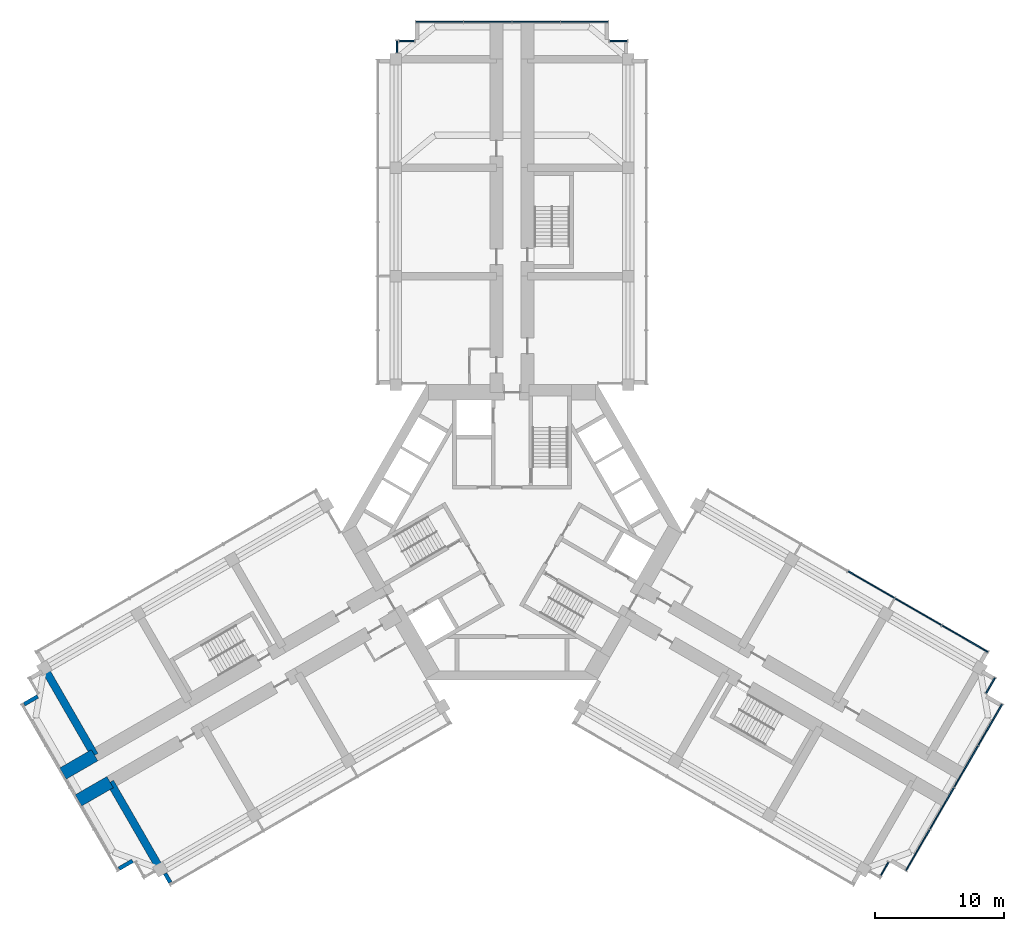
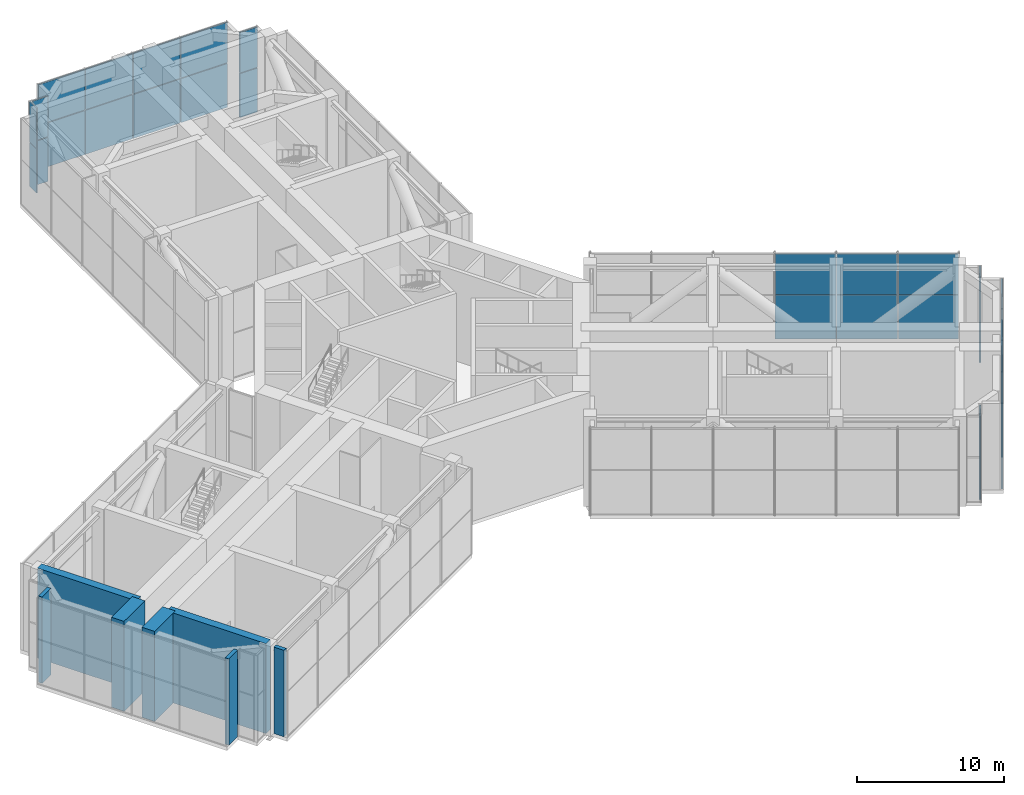
# One storey, part 11 of 16: 32 plates, 7 walls, 8 elements without a shape of their own.
"""IFC4 building model written with IfcOpenShell, lengths in metres."""

from ifc_helpers import new_model, si_unit, direction, frame, frame_2d, origin, origin_2d, place, context, subcontext, project, spatial, rectangle, extrude, material, layer, layer_set, type_object, element, aggregate, save


model = new_model("IFC4")

# Units and contexts
model_context = context("Model", 3, precision=1e-05, world=origin(), true_north=direction((0.0, 1.0)))
body_context = subcontext(model_context, "Body", "Model", "MODEL_VIEW")
ifc_project = project(units=[si_unit("LENGTHUNIT", "METRE"), si_unit("AREAUNIT", "SQUARE_METRE"), si_unit("VOLUMEUNIT", "CUBIC_METRE"), si_unit("PLANEANGLEUNIT", "RADIAN"), si_unit("MASSUNIT", "GRAM", prefix="KILO")], contexts=[model_context])

# Site, building, storey
site_placement = place(None, origin())
site = spatial("IfcSite", under=ifc_project, at=site_placement, CompositionType="ELEMENT")
building_placement = place(site_placement, origin())
building = spatial("IfcBuilding", under=site, at=building_placement, Name="Impinga Residences", CompositionType="ELEMENT")
storey_placement = place(building_placement, frame((0.0, 0.0, 181.0)))
storey = spatial("IfcBuildingStorey", under=building, at=storey_placement, Name="L45", CompositionType="ELEMENT", Elevation=181.0)

# Curtain wall, plates
ifc_material_1 = material(Name="Aluminium stick curtain wall", Category="aluminium")
curtain_wall_type = type_object("IfcCurtainWallType", Name="CW4 plant floor louvred curtain wall", PredefinedType="USERDEFINED", material=ifc_material_1)
curtain_wall_1_placement = place(storey_placement, origin())
curtain_wall_1 = element("IfcCurtainWall", 1, at=curtain_wall_1_placement, inside=storey, type_object=curtain_wall_type, Name="Curtain wall CW4 L45", ObjectType="STICK CURTAIN WALL", PredefinedType="USERDEFINED")
ifc_material_2 = material(Name="Aluminium louvre blade panel", Category="aluminium")
ifc_layer_1 = layer(ifc_material_2, 0.10009765625)
ifc_layer_set_1 = layer_set([ifc_layer_1], Name="CW4-P louvre panel 100")
plate_type = type_object("IfcPlateType", Name="CW4-P louvre panel 100", PredefinedType="CURTAIN_PANEL", material=ifc_layer_set_1)
plate_1_placement = place(storey_placement, frame((-8.89990234375, 37.608154296875, 0.06005859375), z_axis=(0.0, 0.0, 1.0), x_axis=(0.0, 1.0, 0.0)))
plate_1 = element("IfcPlate", 2, at=plate_1_placement, type_object=plate_type, Name="CW4 panel 1.1", PredefinedType="CURTAIN_PANEL", context=body_context, shape_type="SweptSolid", body=[
    extrude(rectangle(XDim=0.927001953125, YDim=0.10009765625, at=origin_2d()), origin(), (0.0, 0.0, 1.0), 3.659912109375),
])
plate_2_placement = place(storey_placement, frame((-8.89990234375, 37.608154296875, 3.77978515625), z_axis=(0.0, 0.0, 1.0), x_axis=(0.0, 1.0, 0.0)))
plate_2 = element("IfcPlate", 3, at=plate_2_placement, type_object=plate_type, Name="CW4 panel 1.2", PredefinedType="CURTAIN_PANEL", context=body_context, shape_type="SweptSolid", body=[
    extrude(rectangle(XDim=0.927001953125, YDim=0.10009765625, at=origin_2d()), origin(), (0.0, 0.0, 1.0), 3.360107421875),
])
aggregate(curtain_wall_1, [plate_1, plate_2])

curtain_wall_2_placement = place(storey_placement, origin())
curtain_wall_2 = element("IfcCurtainWall", 4, at=curtain_wall_2_placement, inside=storey, type_object=curtain_wall_type, Name="Curtain wall CW4 L45", ObjectType="STICK CURTAIN WALL", PredefinedType="USERDEFINED")
plate_3_placement = place(storey_placement, frame((-8.14990234375, 38.031494140625, 0.06005859375), z_axis=(0.0, 0.0, 1.0), x_axis=(1.0, 0.0, 0.0)))
plate_3 = element("IfcPlate", 5, at=plate_3_placement, type_object=plate_type, Name="CW4 panel 1.1", PredefinedType="CURTAIN_PANEL", context=body_context, shape_type="SweptSolid", body=[
    extrude(rectangle(XDim=1.179931640625, YDim=0.10009765625, at=origin_2d()), origin(), (0.0, 0.0, 1.0), 3.659912109375),
])
plate_4_placement = place(storey_placement, frame((-8.14990234375, 38.031494140625, 3.77978515625), z_axis=(0.0, 0.0, 1.0), x_axis=(1.0, 0.0, 0.0)))
plate_4 = element("IfcPlate", 6, at=plate_4_placement, type_object=plate_type, Name="CW4 panel 1.2", PredefinedType="CURTAIN_PANEL", context=body_context, shape_type="SweptSolid", body=[
    extrude(rectangle(XDim=1.179931640625, YDim=0.10009765625, at=origin_2d()), origin(), (0.0, 0.0, 1.0), 3.360107421875),
])
aggregate(curtain_wall_2, [plate_3, plate_4])

curtain_wall_3_placement = place(storey_placement, origin())
curtain_wall_3 = element("IfcCurtainWall", 7, at=curtain_wall_3_placement, inside=storey, type_object=curtain_wall_type, Name="Curtain wall CW4 L45", ObjectType="STICK CURTAIN WALL", PredefinedType="USERDEFINED")
plate_5_placement = place(storey_placement, frame((-5.610107421875, 39.531494140625, 0.06005859375), z_axis=(0.0, 0.0, 1.0), x_axis=(1.0, 0.0, 0.0)))
plate_5 = element("IfcPlate", 8, at=plate_5_placement, type_object=plate_type, Name="CW4 panel 1.1", PredefinedType="CURTAIN_PANEL", context=body_context, shape_type="SweptSolid", body=[
    extrude(rectangle(XDim=3.659912109375, YDim=0.10009765625, at=origin_2d()), origin(), (0.0, 0.0, 1.0), 3.659912109375),
])
plate_6_placement = place(storey_placement, frame((-5.610107421875, 39.531494140625, 3.77978515625), z_axis=(0.0, 0.0, 1.0), x_axis=(1.0, 0.0, 0.0)))
plate_6 = element("IfcPlate", 9, at=plate_6_placement, type_object=plate_type, Name="CW4 panel 1.2", PredefinedType="CURTAIN_PANEL", context=body_context, shape_type="SweptSolid", body=[
    extrude(rectangle(XDim=3.659912109375, YDim=0.10009765625, at=origin_2d()), origin(), (0.0, 0.0, 1.0), 3.360107421875),
])
plate_7_placement = place(storey_placement, frame((-1.875, 39.531494140625, 0.06005859375), z_axis=(0.0, 0.0, 1.0), x_axis=(1.0, 0.0, 0.0)))
plate_7 = element("IfcPlate", 10, at=plate_7_placement, type_object=plate_type, Name="CW4 panel 2.1", PredefinedType="CURTAIN_PANEL", context=body_context, shape_type="SweptSolid", body=[
    extrude(rectangle(XDim=3.68994140625, YDim=0.10009765625, at=origin_2d()), origin(), (0.0, 0.0, 1.0), 3.659912109375),
])
plate_8_placement = place(storey_placement, frame((-1.875, 39.531494140625, 3.77978515625), z_axis=(0.0, 0.0, 1.0), x_axis=(1.0, 0.0, 0.0)))
plate_8 = element("IfcPlate", 11, at=plate_8_placement, type_object=plate_type, Name="CW4 panel 2.2", PredefinedType="CURTAIN_PANEL", context=body_context, shape_type="SweptSolid", body=[
    extrude(rectangle(XDim=3.68994140625, YDim=0.10009765625, at=origin_2d()), origin(), (0.0, 0.0, 1.0), 3.360107421875),
])
plate_9_placement = place(storey_placement, frame((1.875, 39.531494140625, 0.06005859375), z_axis=(0.0, 0.0, 1.0), x_axis=(1.0, 0.0, 0.0)))
plate_9 = element("IfcPlate", 12, at=plate_9_placement, type_object=plate_type, Name="CW4 panel 3.1", PredefinedType="CURTAIN_PANEL", context=body_context, shape_type="SweptSolid", body=[
    extrude(rectangle(XDim=3.68994140625, YDim=0.10009765625, at=origin_2d()), origin(), (0.0, 0.0, 1.0), 3.659912109375),
])
plate_10_placement = place(storey_placement, frame((1.875, 39.531494140625, 3.77978515625), z_axis=(0.0, 0.0, 1.0), x_axis=(1.0, 0.0, 0.0)))
plate_10 = element("IfcPlate", 13, at=plate_10_placement, type_object=plate_type, Name="CW4 panel 3.2", PredefinedType="CURTAIN_PANEL", context=body_context, shape_type="SweptSolid", body=[
    extrude(rectangle(XDim=3.68994140625, YDim=0.10009765625, at=origin_2d()), origin(), (0.0, 0.0, 1.0), 3.360107421875),
])
plate_11_placement = place(storey_placement, frame((5.610107421875, 39.531494140625, 0.06005859375), z_axis=(0.0, 0.0, 1.0), x_axis=(1.0, 0.0, 0.0)))
plate_11 = element("IfcPlate", 14, at=plate_11_placement, type_object=plate_type, Name="CW4 panel 4.1", PredefinedType="CURTAIN_PANEL", context=body_context, shape_type="SweptSolid", body=[
    extrude(rectangle(XDim=3.659912109375, YDim=0.10009765625, at=origin_2d()), origin(), (0.0, 0.0, 1.0), 3.659912109375),
])
plate_12_placement = place(storey_placement, frame((5.610107421875, 39.531494140625, 3.77978515625), z_axis=(0.0, 0.0, 1.0), x_axis=(1.0, 0.0, 0.0)))
plate_12 = element("IfcPlate", 15, at=plate_12_placement, type_object=plate_type, Name="CW4 panel 4.2", PredefinedType="CURTAIN_PANEL", context=body_context, shape_type="SweptSolid", body=[
    extrude(rectangle(XDim=3.659912109375, YDim=0.10009765625, at=origin_2d()), origin(), (0.0, 0.0, 1.0), 3.360107421875),
])
aggregate(curtain_wall_3, [plate_5, plate_6, plate_7, plate_8, plate_9, plate_10, plate_11, plate_12])

curtain_wall_4_placement = place(storey_placement, origin())
curtain_wall_4 = element("IfcCurtainWall", 16, at=curtain_wall_4_placement, inside=storey, type_object=curtain_wall_type, Name="Curtain wall CW4 L45", ObjectType="STICK CURTAIN WALL", PredefinedType="USERDEFINED")
plate_13_placement = place(storey_placement, frame((8.25, 38.031494140625, 0.06005859375), z_axis=(0.0, 0.0, 1.0), x_axis=(1.0, 0.0, 0.0)))
plate_13 = element("IfcPlate", 17, at=plate_13_placement, type_object=plate_type, Name="CW4 panel 1.1", PredefinedType="CURTAIN_PANEL", context=body_context, shape_type="SweptSolid", body=[
    extrude(rectangle(XDim=1.3798828125, YDim=0.10009765625, at=origin_2d()), origin(), (0.0, 0.0, 1.0), 3.659912109375),
])
plate_14_placement = place(storey_placement, frame((8.25, 38.031494140625, 3.77978515625), z_axis=(0.0, 0.0, 1.0), x_axis=(1.0, 0.0, 0.0)))
plate_14 = element("IfcPlate", 18, at=plate_14_placement, type_object=plate_type, Name="CW4 panel 1.2", PredefinedType="CURTAIN_PANEL", context=body_context, shape_type="SweptSolid", body=[
    extrude(rectangle(XDim=1.3798828125, YDim=0.10009765625, at=origin_2d()), origin(), (0.0, 0.0, 1.0), 3.360107421875),
])
aggregate(curtain_wall_4, [plate_13, plate_14])

curtain_wall_5_placement = place(storey_placement, origin())
curtain_wall_5 = element("IfcCurtainWall", 19, at=curtain_wall_5_placement, inside=storey, type_object=curtain_wall_type, Name="Curtain wall CW4 L45", ObjectType="STICK CURTAIN WALL", PredefinedType="USERDEFINED")
plate_15_placement = place(storey_placement, frame((27.83056640625, -4.05908203125, 0.06005859375), z_axis=(0.0, 0.0, 1.0), x_axis=(0.866025402048, -0.500000003008, 0.0)))
plate_15 = element("IfcPlate", 20, at=plate_15_placement, type_object=plate_type, Name="CW4 panel 4.1", PredefinedType="CURTAIN_PANEL", context=body_context, shape_type="SweptSolid", body=[
    extrude(rectangle(XDim=4.139892578125, YDim=0.10009765625, at=origin_2d()), origin(), (0.0, 0.0, 1.0), 3.659912109375),
])
plate_16_placement = place(storey_placement, frame((27.83056640625, -4.05908203125, 3.77978515625), z_axis=(0.0, 0.0, 1.0), x_axis=(0.866025402048, -0.500000003008, 0.0)))
plate_16 = element("IfcPlate", 21, at=plate_16_placement, type_object=plate_type, Name="CW4 panel 4.2", PredefinedType="CURTAIN_PANEL", context=body_context, shape_type="SweptSolid", body=[
    extrude(rectangle(XDim=4.139892578125, YDim=0.10009765625, at=origin_2d()), origin(), (0.0, 0.0, 1.0), 3.360107421875),
])
plate_17_placement = place(storey_placement, frame((31.4677734375, -6.1591796875, 0.06005859375), z_axis=(0.0, 0.0, 1.0), x_axis=(0.866025402048, -0.500000003008, 0.0)))
plate_17 = element("IfcPlate", 22, at=plate_17_placement, type_object=plate_type, Name="CW4 panel 5.1", PredefinedType="CURTAIN_PANEL", context=body_context, shape_type="SweptSolid", body=[
    extrude(rectangle(XDim=4.139892578125, YDim=0.10009765625, at=origin_2d()), origin(), (0.0, 0.0, 1.0), 3.659912109375),
])
plate_18_placement = place(storey_placement, frame((31.4677734375, -6.1591796875, 3.77978515625), z_axis=(0.0, 0.0, 1.0), x_axis=(0.866025402048, -0.500000003008, 0.0)))
plate_18 = element("IfcPlate", 23, at=plate_18_placement, type_object=plate_type, Name="CW4 panel 5.2", PredefinedType="CURTAIN_PANEL", context=body_context, shape_type="SweptSolid", body=[
    extrude(rectangle(XDim=4.139892578125, YDim=0.10009765625, at=origin_2d()), origin(), (0.0, 0.0, 1.0), 3.360107421875),
])
plate_19_placement = place(storey_placement, frame((35.09228515625, -8.251708984375, 0.06005859375), z_axis=(0.0, 0.0, 1.0), x_axis=(0.866025402048, -0.500000003008, 0.0)))
plate_19 = element("IfcPlate", 24, at=plate_19_placement, type_object=plate_type, Name="CW4 panel 6.1", PredefinedType="CURTAIN_PANEL", context=body_context, shape_type="SweptSolid", body=[
    extrude(rectangle(XDim=4.110107421875, YDim=0.10009765625, at=origin_2d()), origin(), (0.0, 0.0, 1.0), 3.659912109375),
])
plate_20_placement = place(storey_placement, frame((35.09228515625, -8.251708984375, 3.77978515625), z_axis=(0.0, 0.0, 1.0), x_axis=(0.866025402048, -0.500000003008, 0.0)))
plate_20 = element("IfcPlate", 25, at=plate_20_placement, type_object=plate_type, Name="CW4 panel 6.2", PredefinedType="CURTAIN_PANEL", context=body_context, shape_type="SweptSolid", body=[
    extrude(rectangle(XDim=4.110107421875, YDim=0.10009765625, at=origin_2d()), origin(), (0.0, 0.0, 1.0), 3.360107421875),
])
aggregate(curtain_wall_5, [plate_15, plate_16, plate_17, plate_18, plate_19, plate_20])

curtain_wall_6_placement = place(storey_placement, origin())
curtain_wall_6 = element("IfcCurtainWall", 26, at=curtain_wall_6_placement, inside=storey, type_object=curtain_wall_type, Name="Curtain wall CW4 L45", ObjectType="STICK CURTAIN WALL", PredefinedType="USERDEFINED")
plate_21_placement = place(storey_placement, frame((37.061279296875, -11.87109375, 0.06005859375), z_axis=(0.0, 0.0, 1.0), x_axis=(-0.500000030502, -0.866025386174, 0.0)))
plate_21 = element("IfcPlate", 27, at=plate_21_placement, type_object=plate_type, Name="CW4 panel 1.1", PredefinedType="CURTAIN_PANEL", context=body_context, shape_type="SweptSolid", body=[
    extrude(rectangle(XDim=1.3798828125, YDim=0.10009765625, at=origin_2d()), origin(), (0.0, 0.0, 1.0), 3.659912109375),
])
plate_22_placement = place(storey_placement, frame((37.061279296875, -11.87109375, 3.77978515625), z_axis=(0.0, 0.0, 1.0), x_axis=(-0.500000030502, -0.866025386174, 0.0)))
plate_22 = element("IfcPlate", 28, at=plate_22_placement, type_object=plate_type, Name="CW4 panel 1.2", PredefinedType="CURTAIN_PANEL", context=body_context, shape_type="SweptSolid", body=[
    extrude(rectangle(XDim=1.3798828125, YDim=0.10009765625, at=origin_2d()), origin(), (0.0, 0.0, 1.0), 3.360107421875),
])
aggregate(curtain_wall_6, [plate_21, plate_22])

curtain_wall_7_placement = place(storey_placement, origin())
curtain_wall_7 = element("IfcCurtainWall", 29, at=curtain_wall_7_placement, inside=storey, type_object=curtain_wall_type, Name="Curtain wall CW4 L45", ObjectType="STICK CURTAIN WALL", PredefinedType="USERDEFINED")
plate_23_placement = place(storey_placement, frame((37.040283203125, -14.907470703125, 0.06005859375), z_axis=(0.0, 0.0, 1.0), x_axis=(-0.500000001632, -0.866025402842, 0.0)))
plate_23 = element("IfcPlate", 30, at=plate_23_placement, type_object=plate_type, Name="CW4 panel 1.1", PredefinedType="CURTAIN_PANEL", context=body_context, shape_type="SweptSolid", body=[
    extrude(rectangle(XDim=3.659912109375, YDim=0.10009765625, at=origin_2d()), origin(), (0.0, 0.0, 1.0), 3.659912109375),
])
plate_24_placement = place(storey_placement, frame((37.040283203125, -14.907470703125, 3.77978515625), z_axis=(0.0, 0.0, 1.0), x_axis=(-0.500000001632, -0.866025402842, 0.0)))
plate_24 = element("IfcPlate", 31, at=plate_24_placement, type_object=plate_type, Name="CW4 panel 1.2", PredefinedType="CURTAIN_PANEL", context=body_context, shape_type="SweptSolid", body=[
    extrude(rectangle(XDim=3.659912109375, YDim=0.10009765625, at=origin_2d()), origin(), (0.0, 0.0, 1.0), 3.360107421875),
])
plate_25_placement = place(storey_placement, frame((35.1728515625, -18.14208984375, 0.06005859375), z_axis=(0.0, 0.0, 1.0), x_axis=(-0.500000001632, -0.866025402842, 0.0)))
plate_25 = element("IfcPlate", 32, at=plate_25_placement, type_object=plate_type, Name="CW4 panel 2.1", PredefinedType="CURTAIN_PANEL", context=body_context, shape_type="SweptSolid", body=[
    extrude(rectangle(XDim=3.68994140625, YDim=0.10009765625, at=origin_2d()), origin(), (0.0, 0.0, 1.0), 3.659912109375),
])
plate_26_placement = place(storey_placement, frame((35.1728515625, -18.14208984375, 3.77978515625), z_axis=(0.0, 0.0, 1.0), x_axis=(-0.500000001632, -0.866025402842, 0.0)))
plate_26 = element("IfcPlate", 33, at=plate_26_placement, type_object=plate_type, Name="CW4 panel 2.2", PredefinedType="CURTAIN_PANEL", context=body_context, shape_type="SweptSolid", body=[
    extrude(rectangle(XDim=3.68994140625, YDim=0.10009765625, at=origin_2d()), origin(), (0.0, 0.0, 1.0), 3.360107421875),
])
plate_27_placement = place(storey_placement, frame((33.2978515625, -21.3896484375, 0.06005859375), z_axis=(0.0, 0.0, 1.0), x_axis=(-0.500000001632, -0.866025402842, 0.0)))
plate_27 = element("IfcPlate", 34, at=plate_27_placement, type_object=plate_type, Name="CW4 panel 3.1", PredefinedType="CURTAIN_PANEL", context=body_context, shape_type="SweptSolid", body=[
    extrude(rectangle(XDim=3.68994140625, YDim=0.10009765625, at=origin_2d()), origin(), (0.0, 0.0, 1.0), 3.659912109375),
])
plate_28_placement = place(storey_placement, frame((33.2978515625, -21.3896484375, 3.77978515625), z_axis=(0.0, 0.0, 1.0), x_axis=(-0.500000001632, -0.866025402842, 0.0)))
plate_28 = element("IfcPlate", 35, at=plate_28_placement, type_object=plate_type, Name="CW4 panel 3.2", PredefinedType="CURTAIN_PANEL", context=body_context, shape_type="SweptSolid", body=[
    extrude(rectangle(XDim=3.68994140625, YDim=0.10009765625, at=origin_2d()), origin(), (0.0, 0.0, 1.0), 3.360107421875),
])
plate_29_placement = place(storey_placement, frame((31.430419921875, -24.624267578125, 0.06005859375), z_axis=(0.0, 0.0, 1.0), x_axis=(-0.500000001632, -0.866025402842, 0.0)))
plate_29 = element("IfcPlate", 36, at=plate_29_placement, type_object=plate_type, Name="CW4 panel 4.1", PredefinedType="CURTAIN_PANEL", context=body_context, shape_type="SweptSolid", body=[
    extrude(rectangle(XDim=3.659912109375, YDim=0.10009765625, at=origin_2d()), origin(), (0.0, 0.0, 1.0), 3.659912109375),
])
plate_30_placement = place(storey_placement, frame((31.430419921875, -24.624267578125, 3.77978515625), z_axis=(0.0, 0.0, 1.0), x_axis=(-0.500000001632, -0.866025402842, 0.0)))
plate_30 = element("IfcPlate", 37, at=plate_30_placement, type_object=plate_type, Name="CW4 panel 4.2", PredefinedType="CURTAIN_PANEL", context=body_context, shape_type="SweptSolid", body=[
    extrude(rectangle(XDim=3.659912109375, YDim=0.10009765625, at=origin_2d()), origin(), (0.0, 0.0, 1.0), 3.360107421875),
])
aggregate(curtain_wall_7, [plate_23, plate_24, plate_25, plate_26, plate_27, plate_28, plate_29, plate_30])

curtain_wall_8_placement = place(storey_placement, origin())
curtain_wall_8 = element("IfcCurtainWall", 38, at=curtain_wall_8_placement, inside=storey, type_object=curtain_wall_type, Name="Curtain wall CW4 L45", ObjectType="STICK CURTAIN WALL", PredefinedType="USERDEFINED")
plate_31_placement = place(storey_placement, frame((28.861328125, -26.073974609375, 0.06005859375), z_axis=(0.0, 0.0, 1.0), x_axis=(-0.500000008298, -0.866025398994, 0.0)))
plate_31 = element("IfcPlate", 39, at=plate_31_placement, type_object=plate_type, Name="CW4 panel 1.1", PredefinedType="CURTAIN_PANEL", context=body_context, shape_type="SweptSolid", body=[
    extrude(rectangle(XDim=1.179931640625, YDim=0.10009765625, at=origin_2d()), origin(), (0.0, 0.0, 1.0), 3.659912109375),
])
plate_32_placement = place(storey_placement, frame((28.861328125, -26.073974609375, 3.77978515625), z_axis=(0.0, 0.0, 1.0), x_axis=(-0.500000008298, -0.866025398994, 0.0)))
plate_32 = element("IfcPlate", 40, at=plate_32_placement, type_object=plate_type, Name="CW4 panel 1.2", PredefinedType="CURTAIN_PANEL", context=body_context, shape_type="SweptSolid", body=[
    extrude(rectangle(XDim=1.179931640625, YDim=0.10009765625, at=origin_2d()), origin(), (0.0, 0.0, 1.0), 3.360107421875),
])
aggregate(curtain_wall_8, [plate_31, plate_32])

# Walls
ifc_material_3 = material(Name="Stone facing on blockwork", Category="masonry")
ifc_layer_2 = layer(ifc_material_3, 0.300048828125)
ifc_layer_set_2 = layer_set([ifc_layer_2], Name="EW2 external wall, stone facing on blockwork 300")
wall_type_1 = type_object("IfcWallType", Name="EW2 external wall, stone facing on blockwork 300", PredefinedType="SOLIDWALL", material=ifc_layer_set_2)
wall_1_placement = place(storey_placement, frame((-26.465087890625, -27.1240234375, 0.0), z_axis=(0.0, 0.0, 1.0), x_axis=(-0.500055147301, 0.865993562134, 0.0)))
element("IfcWall", 41, at=wall_1_placement, inside=storey, type_object=wall_type_1, Name="External wall EW2 L45", PredefinedType="SOLIDWALL", context=body_context, shape_type="SweptSolid", body=[
    extrude(rectangle(XDim=0.8046875, YDim=0.300048828125, at=frame_2d((0.40234375, 0.0))), origin(), (0.0, 0.0, 1.0), 7.199951171875),
])
for number, where, z_axis, x_axis, name in (
    (42, (-29.384765625, -25.452392578125, 0.0), (0.0, 0.0, 1.0), (-0.866058436235, -0.499942781752, 0.0), "External wall EW2 L45"),
    (43, (-37.786865234375, -13.329345703125, 0.0), (0.0, 0.0, 1.0), (0.865971428223, 0.500093476763, 0.0), "External wall EW2 L45"),
):
    element("IfcWall", number, at=place(storey_placement, frame(where, z_axis=z_axis, x_axis=x_axis)), inside=storey, type_object=wall_type_1, Name=name, PredefinedType="SOLIDWALL", context=body_context, shape_type="SweptSolid", body=[
        extrude(rectangle(XDim=1.215087890625, YDim=0.300048828125, at=frame_2d((0.607421875, 0.0))), origin(), (0.0, 0.0, 1.0), 7.199951171875),
    ])
ifc_material_4 = material(Name="Concrete C60/75", Category="concrete")
ifc_layer_3 = layer(ifc_material_4, 1.0)
ifc_layer_set_3 = layer_set([ifc_layer_3], Name="Concrete C60/75")
wall_type_2 = type_object("IfcWallType", Name="OW1 outrigger wall on the corridor line 1000", PredefinedType="SHEAR", material=ifc_layer_set_3)
for number, where, z_axis, x_axis, name in (
    (44, (-31.123779296875, -19.35498046875, 0.0), (0.0, 0.0, 1.0), (-0.866043818878, -0.499968102766, 0.0), "Corridor wall OW1 WC L45"),
    (45, (-32.32373046875, -17.276611328125, 0.0), (0.0, 0.0, 1.0), (-0.866043818878, -0.499968102766, 0.0), "Corridor wall OW1 WD L45"),
):
    element("IfcWall", number, at=place(storey_placement, frame(where, z_axis=z_axis, x_axis=x_axis)), inside=storey, type_object=wall_type_2, Name=name, PredefinedType="SHEAR", context=body_context, shape_type="SweptSolid", body=[
        extrude(rectangle(XDim=2.839111328125, YDim=1.0, at=frame_2d((1.41943359375, 0.0))), origin(), (0.0, 0.0, 1.0), 7.5),
    ])
ifc_layer_4 = layer(ifc_material_4, 0.60009765625)
ifc_layer_set_4 = layer_set([ifc_layer_4], Name="Concrete C60/75")
wall_type_3 = type_object("IfcWallType", Name="OW2 outrigger arm wall to the perimeter columns 600", PredefinedType="SHEAR", material=ifc_layer_set_4)
wall_2_placement = place(storey_placement, frame((-31.123779296875, -19.35498046875, 0.0), z_axis=(0.0, 0.0, 1.0), x_axis=(0.499983459557, -0.866034953203, 0.0)))
element("IfcWall", 46, at=wall_2_placement, inside=storey, type_object=wall_type_3, Name="Outrigger wall OW2 W4/WA L45", PredefinedType="SHEAR", context=body_context, shape_type="SweptSolid", body=[
    extrude(rectangle(XDim=7.800048828125, YDim=0.60009765625, at=frame_2d((3.89990234375, 0.0))), origin(), (0.0, 0.0, 1.0), 7.5),
])
wall_3_placement = place(storey_placement, frame((-32.32373046875, -17.276611328125, 0.0), z_axis=(0.0, 0.0, 1.0), x_axis=(-0.500006934395, 0.866021400173, 0.0)))
element("IfcWall", 47, at=wall_3_placement, inside=storey, type_object=wall_type_3, Name="Outrigger wall OW2 W4/WF L45", PredefinedType="SHEAR", context=body_context, shape_type="SweptSolid", body=[
    extrude(rectangle(XDim=7.80029296875, YDim=0.60009765625, at=frame_2d((3.900146484375, 0.0))), origin(), (0.0, 0.0, 1.0), 7.5),
])

save(model, "model.ifc")
